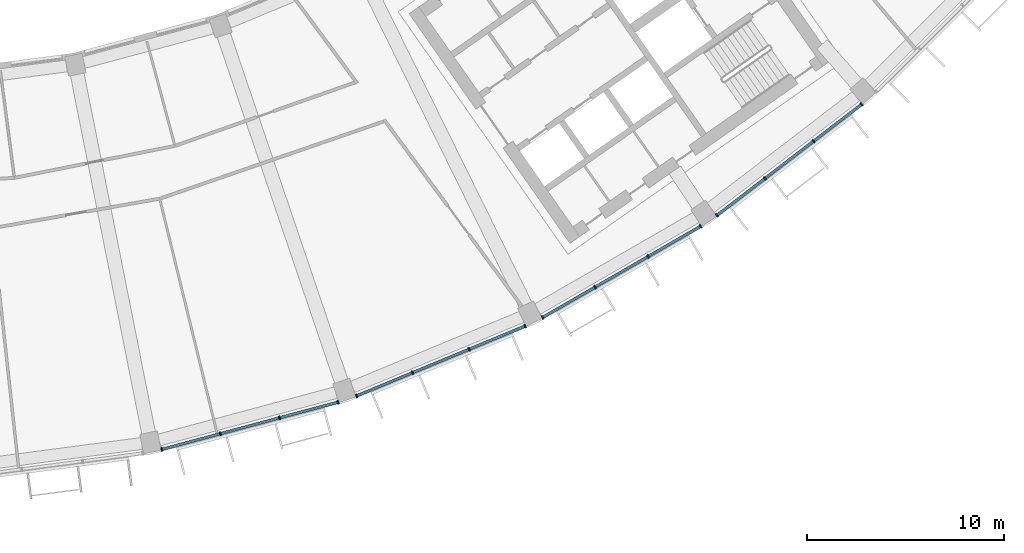
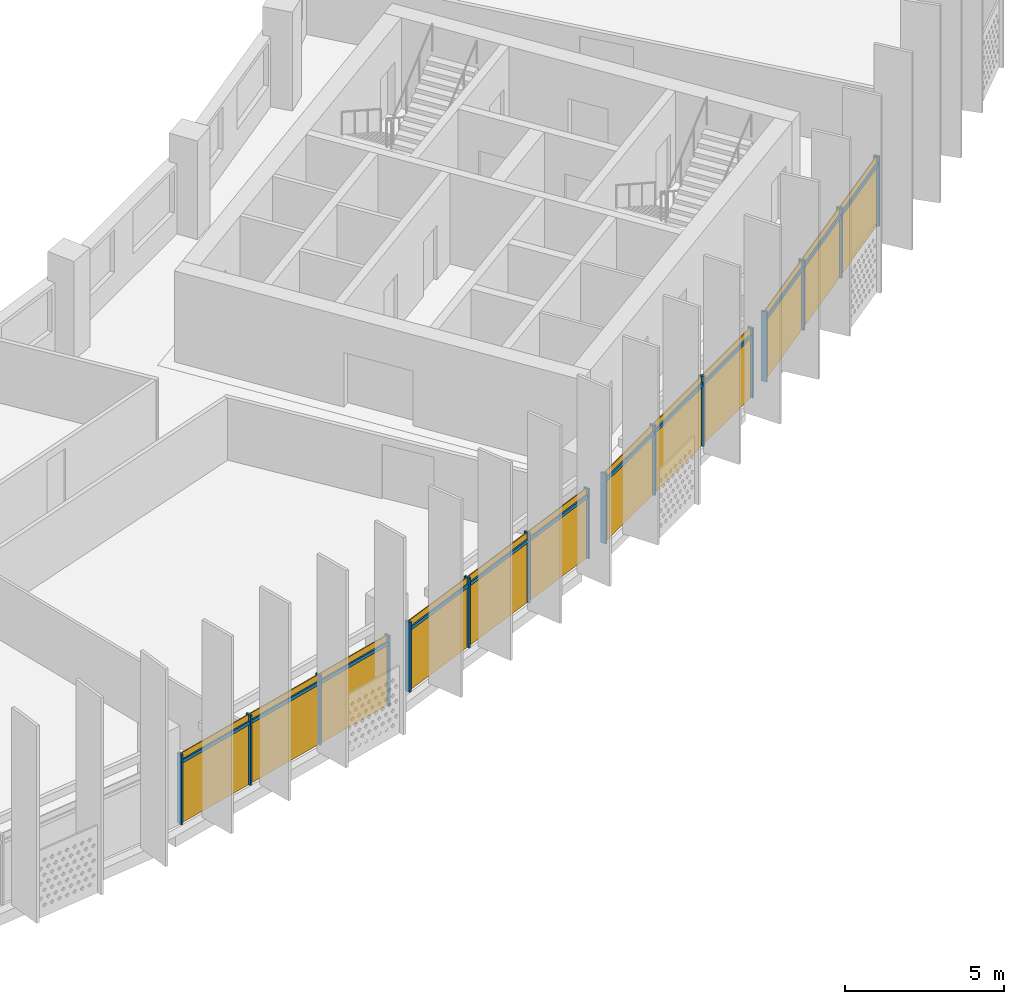
# One storey, part 20 of 28: 28 members, 4 curtain walls.
"""IFC4 building model written with IfcOpenShell, lengths in metres."""

from ifc_helpers import new_model, si_unit, direction, frame, origin, origin_2d, place, context, subcontext, project, spatial, rectangle, extrude, material, material_profile, profile_set, type_object, element, aggregate, save


model = new_model("IFC4")

# Units and contexts
model_context = context("Model", 3, precision=1e-05, world=origin(), true_north=direction((0.0, 1.0)))
body_context = subcontext(model_context, "Body", "Model", "MODEL_VIEW")
ifc_project = project(units=[si_unit("LENGTHUNIT", "METRE"), si_unit("AREAUNIT", "SQUARE_METRE"), si_unit("VOLUMEUNIT", "CUBIC_METRE"), si_unit("PLANEANGLEUNIT", "RADIAN"), si_unit("MASSUNIT", "GRAM", prefix="KILO")], contexts=[model_context])

# Member
ifc_material = material(Name="Aluminium 6063-T6 anodised", Category="aluminium")
ifc_material_profile_1 = material_profile(ifc_material, rectangle(XDim=0.199951171875, YDim=0.070068359375, at=origin_2d()))
ifc_profile_set_1 = profile_set([ifc_material_profile_1], Name="Aluminium 6063-T6 anodised")
member_type_1 = type_object("IfcMemberType", Name="Mullion 70 x 200 aluminium", PredefinedType="MULLION", material=ifc_profile_set_1)
site_placement = place(None, origin())
building_placement = place(site_placement, origin())
storey_placement = place(building_placement, frame((0.0, 0.0, 265.699951171875)))
member_1_placement = place(storey_placement, frame((15.742431640625, -76.618408203125, 0.0), z_axis=(0.0, 0.0, 1.0), x_axis=(-0.258819045103, 0.965925826289, 0.0)))
member_1 = element("IfcMember", 1, at=member_1_placement, type_object=member_type_1, Name="e-cw1-L64-out09/M00", PredefinedType="MULLION", context=body_context, shape_type="SweptSolid", body=[
    extrude(rectangle(XDim=0.199951171875, YDim=0.070068359375, at=origin_2d()), origin(), (0.0, 0.0, 1.0), 2.699951171875),
])

member_2_placement = place(storey_placement, frame((18.708984375, -75.82373046875, 0.0), z_axis=(0.0, 0.0, 1.0), x_axis=(-0.258819045103, 0.965925826289, 0.0)))
member_2 = element("IfcMember", 2, at=member_2_placement, type_object=member_type_1, Name="e-cw1-L64-out09/M01", PredefinedType="MULLION", context=body_context, shape_type="SweptSolid", body=[
    extrude(rectangle(XDim=0.199951171875, YDim=0.070068359375, at=origin_2d()), origin(), (0.0, 0.0, 1.0), 2.699951171875),
])

member_3_placement = place(storey_placement, frame((21.70947265625, -75.019775390625, 0.0), z_axis=(0.0, 0.0, 1.0), x_axis=(-0.258819045103, 0.965925826289, 0.0)))
member_3 = element("IfcMember", 3, at=member_3_placement, type_object=member_type_1, Name="e-cw1-L64-out09/M02", PredefinedType="MULLION", context=body_context, shape_type="SweptSolid", body=[
    extrude(rectangle(XDim=0.199951171875, YDim=0.070068359375, at=origin_2d()), origin(), (0.0, 0.0, 1.0), 2.699951171875),
])

member_4_placement = place(storey_placement, frame((24.676025390625, -74.224853515625, 0.0), z_axis=(0.0, 0.0, 1.0), x_axis=(-0.258819045103, 0.965925826289, 0.0)))
member_4 = element("IfcMember", 4, at=member_4_placement, type_object=member_type_1, Name="e-cw1-L64-out09/M03", PredefinedType="MULLION", context=body_context, shape_type="SweptSolid", body=[
    extrude(rectangle(XDim=0.199951171875, YDim=0.070068359375, at=origin_2d()), origin(), (0.0, 0.0, 1.0), 2.699951171875),
])

member_5_placement = place(storey_placement, frame((25.6083984375, -73.908203125, 0.0), z_axis=(0.0, 0.0, 1.0), x_axis=(-0.382683432365, 0.923879532511, 0.0)))
member_5 = element("IfcMember", 5, at=member_5_placement, type_object=member_type_1, Name="e-cw1-L64-out10/M00", PredefinedType="MULLION", context=body_context, shape_type="SweptSolid", body=[
    extrude(rectangle(XDim=0.199951171875, YDim=0.070068359375, at=origin_2d()), origin(), (0.0, 0.0, 1.0), 2.699951171875),
])

member_6_placement = place(storey_placement, frame((28.44580078125, -72.73291015625, 0.0), z_axis=(0.0, 0.0, 1.0), x_axis=(-0.382683432365, 0.923879532511, 0.0)))
member_6 = element("IfcMember", 6, at=member_6_placement, type_object=member_type_1, Name="e-cw1-L64-out10/M01", PredefinedType="MULLION", context=body_context, shape_type="SweptSolid", body=[
    extrude(rectangle(XDim=0.199951171875, YDim=0.070068359375, at=origin_2d()), origin(), (0.0, 0.0, 1.0), 2.699951171875),
])

member_7_placement = place(storey_placement, frame((31.315673828125, -71.544189453125, 0.0), z_axis=(0.0, 0.0, 1.0), x_axis=(-0.382683432365, 0.923879532511, 0.0)))
member_7 = element("IfcMember", 7, at=member_7_placement, type_object=member_type_1, Name="e-cw1-L64-out10/M02", PredefinedType="MULLION", context=body_context, shape_type="SweptSolid", body=[
    extrude(rectangle(XDim=0.199951171875, YDim=0.070068359375, at=origin_2d()), origin(), (0.0, 0.0, 1.0), 2.699951171875),
])

member_8_placement = place(storey_placement, frame((34.153076171875, -70.368896484375, 0.0), z_axis=(0.0, 0.0, 1.0), x_axis=(-0.382683432365, 0.923879532511, 0.0)))
member_8 = element("IfcMember", 8, at=member_8_placement, type_object=member_type_1, Name="e-cw1-L64-out10/M03", PredefinedType="MULLION", context=body_context, shape_type="SweptSolid", body=[
    extrude(rectangle(XDim=0.199951171875, YDim=0.070068359375, at=origin_2d()), origin(), (0.0, 0.0, 1.0), 2.699951171875),
])

member_9_placement = place(storey_placement, frame((35.036376953125, -69.933349609375, 0.0), z_axis=(0.0, 0.0, 1.0), x_axis=(-0.5, 0.866025403784, 0.0)))
member_9 = element("IfcMember", 9, at=member_9_placement, type_object=member_type_1, Name="e-cw1-L64-out11/M00", PredefinedType="MULLION", context=body_context, shape_type="SweptSolid", body=[
    extrude(rectangle(XDim=0.199951171875, YDim=0.070068359375, at=origin_2d()), origin(), (0.0, 0.0, 1.0), 2.699951171875),
])

member_10_placement = place(storey_placement, frame((37.696044921875, -68.397705078125, 0.0), z_axis=(0.0, 0.0, 1.0), x_axis=(-0.5, 0.866025403784, 0.0)))
member_10 = element("IfcMember", 10, at=member_10_placement, type_object=member_type_1, Name="e-cw1-L64-out11/M01", PredefinedType="MULLION", context=body_context, shape_type="SweptSolid", body=[
    extrude(rectangle(XDim=0.199951171875, YDim=0.070068359375, at=origin_2d()), origin(), (0.0, 0.0, 1.0), 2.699951171875),
])

member_11_placement = place(storey_placement, frame((40.38623046875, -66.8447265625, 0.0), z_axis=(0.0, 0.0, 1.0), x_axis=(-0.5, 0.866025403784, 0.0)))
member_11 = element("IfcMember", 11, at=member_11_placement, type_object=member_type_1, Name="e-cw1-L64-out11/M02", PredefinedType="MULLION", context=body_context, shape_type="SweptSolid", body=[
    extrude(rectangle(XDim=0.199951171875, YDim=0.070068359375, at=origin_2d()), origin(), (0.0, 0.0, 1.0), 2.699951171875),
])

member_12_placement = place(storey_placement, frame((43.0458984375, -65.30908203125, 0.0), z_axis=(0.0, 0.0, 1.0), x_axis=(-0.5, 0.866025403784, 0.0)))
member_12 = element("IfcMember", 12, at=member_12_placement, type_object=member_type_1, Name="e-cw1-L64-out11/M03", PredefinedType="MULLION", context=body_context, shape_type="SweptSolid", body=[
    extrude(rectangle(XDim=0.199951171875, YDim=0.070068359375, at=origin_2d()), origin(), (0.0, 0.0, 1.0), 2.699951171875),
])

member_13_placement = place(storey_placement, frame((43.86474609375, -64.761962890625, 0.0), z_axis=(0.0, 0.0, 1.0), x_axis=(-0.608761429009, 0.793353340291, 0.0)))
member_13 = element("IfcMember", 13, at=member_13_placement, type_object=member_type_1, Name="e-cw1-L64-out12/M00", PredefinedType="MULLION", context=body_context, shape_type="SweptSolid", body=[
    extrude(rectangle(XDim=0.199951171875, YDim=0.070068359375, at=origin_2d()), origin(), (0.0, 0.0, 1.0), 2.699951171875),
])

member_14_placement = place(storey_placement, frame((46.30126953125, -62.892333984375, 0.0), z_axis=(0.0, 0.0, 1.0), x_axis=(-0.608761429009, 0.793353340291, 0.0)))
member_14 = element("IfcMember", 14, at=member_14_placement, type_object=member_type_1, Name="e-cw1-L64-out12/M01", PredefinedType="MULLION", context=body_context, shape_type="SweptSolid", body=[
    extrude(rectangle(XDim=0.199951171875, YDim=0.070068359375, at=origin_2d()), origin(), (0.0, 0.0, 1.0), 2.699951171875),
])

member_15_placement = place(storey_placement, frame((48.765625, -61.001220703125, 0.0), z_axis=(0.0, 0.0, 1.0), x_axis=(-0.608761429009, 0.793353340291, 0.0)))
member_15 = element("IfcMember", 15, at=member_15_placement, type_object=member_type_1, Name="e-cw1-L64-out12/M02", PredefinedType="MULLION", context=body_context, shape_type="SweptSolid", body=[
    extrude(rectangle(XDim=0.199951171875, YDim=0.070068359375, at=origin_2d()), origin(), (0.0, 0.0, 1.0), 2.699951171875),
])

member_16_placement = place(storey_placement, frame((51.2021484375, -59.131591796875, 0.0), z_axis=(0.0, 0.0, 1.0), x_axis=(-0.608761429009, 0.793353340291, 0.0)))
member_16 = element("IfcMember", 16, at=member_16_placement, type_object=member_type_1, Name="e-cw1-L64-out12/M03", PredefinedType="MULLION", context=body_context, shape_type="SweptSolid", body=[
    extrude(rectangle(XDim=0.199951171875, YDim=0.070068359375, at=origin_2d()), origin(), (0.0, 0.0, 1.0), 2.699951171875),
])

ifc_material_profile_2 = material_profile(ifc_material, rectangle(XDim=0.139892578125, YDim=0.1201171875, at=origin_2d()))
ifc_profile_set_2 = profile_set([ifc_material_profile_2], Name="Aluminium 6063-T6 anodised")
member_type_2 = type_object("IfcMemberType", Name="Transom 120 x 140 aluminium", PredefinedType="USERDEFINED", material=ifc_profile_set_2)
member_17_placement = place(storey_placement, frame((15.776123046875, -76.609375, 2.400146484375), z_axis=(0.965944058071, 0.258750993577, 0.0), x_axis=(-0.258750993577, 0.965944058071, 0.0)))
member_17 = element("IfcMember", 17, at=member_17_placement, type_object=member_type_2, Name="e-cw1-L64-out09/T00", ObjectType="TRANSOM", PredefinedType="USERDEFINED", context=body_context, shape_type="SweptSolid", body=[
    extrude(rectangle(XDim=0.139892578125, YDim=0.1201171875, at=origin_2d()), origin(), (0.0, 0.0, 1.0), 3.00146484375),
])

member_18_placement = place(storey_placement, frame((18.74267578125, -75.814453125, 2.400146484375), z_axis=(0.965943386189, 0.258753501769, 0.0), x_axis=(-0.258753501769, 0.965943386189, 0.0)))
member_18 = element("IfcMember", 18, at=member_18_placement, type_object=member_type_2, Name="e-cw1-L64-out09/T01", ObjectType="TRANSOM", PredefinedType="USERDEFINED", context=body_context, shape_type="SweptSolid", body=[
    extrude(rectangle(XDim=0.139892578125, YDim=0.1201171875, at=origin_2d()), origin(), (0.0, 0.0, 1.0), 3.036376953125),
])

member_19_placement = place(storey_placement, frame((21.7431640625, -75.0107421875, 2.400146484375), z_axis=(0.965918275034, 0.258847225127, 0.0), x_axis=(-0.258847225127, 0.965918275034, 0.0)))
member_19 = element("IfcMember", 19, at=member_19_placement, type_object=member_type_2, Name="e-cw1-L64-out09/T02", ObjectType="TRANSOM", PredefinedType="USERDEFINED", context=body_context, shape_type="SweptSolid", body=[
    extrude(rectangle(XDim=0.139892578125, YDim=0.1201171875, at=origin_2d()), origin(), (0.0, 0.0, 1.0), 3.001220703125),
])

member_20_placement = place(storey_placement, frame((25.640869140625, -73.894775390625, 2.400146484375), z_axis=(0.923885958475, 0.382667918347, 0.0), x_axis=(-0.382667918347, 0.923885958475, 0.0)))
member_20 = element("IfcMember", 20, at=member_20_placement, type_object=member_type_2, Name="e-cw1-L64-out10/T00", ObjectType="TRANSOM", PredefinedType="USERDEFINED", context=body_context, shape_type="SweptSolid", body=[
    extrude(rectangle(XDim=0.139892578125, YDim=0.1201171875, at=origin_2d()), origin(), (0.0, 0.0, 1.0), 3.001220703125),
])

member_21_placement = place(storey_placement, frame((28.478271484375, -72.719482421875, 2.400146484375), z_axis=(0.923888454036, 0.38266189319, 0.0), x_axis=(-0.38266189319, 0.923888454036, 0.0)))
member_21 = element("IfcMember", 21, at=member_21_placement, type_object=member_type_2, Name="e-cw1-L64-out10/T01", ObjectType="TRANSOM", PredefinedType="USERDEFINED", context=body_context, shape_type="SweptSolid", body=[
    extrude(rectangle(XDim=0.139892578125, YDim=0.1201171875, at=origin_2d()), origin(), (0.0, 0.0, 1.0), 3.036376953125),
])

member_22_placement = place(storey_placement, frame((31.347900390625, -71.53076171875, 2.400146484375), z_axis=(0.923897869521, 0.382639159907, 0.0), x_axis=(-0.382639159907, 0.923897869521, 0.0)))
member_22 = element("IfcMember", 22, at=member_22_placement, type_object=member_type_2, Name="e-cw1-L64-out10/T02", ObjectType="TRANSOM", PredefinedType="USERDEFINED", context=body_context, shape_type="SweptSolid", body=[
    extrude(rectangle(XDim=0.139892578125, YDim=0.1201171875, at=origin_2d()), origin(), (0.0, 0.0, 1.0), 3.00146484375),
])

member_23_placement = place(storey_placement, frame((35.066650390625, -69.915771484375, 2.400146484375), z_axis=(0.866041993159, 0.49997126526, 0.0), x_axis=(-0.49997126526, 0.866041993159, 0.0)))
member_23 = element("IfcMember", 23, at=member_23_placement, type_object=member_type_2, Name="e-cw1-L64-out11/T00", ObjectType="TRANSOM", PredefinedType="USERDEFINED", context=body_context, shape_type="SweptSolid", body=[
    extrude(rectangle(XDim=0.139892578125, YDim=0.1201171875, at=origin_2d()), origin(), (0.0, 0.0, 1.0), 3.001220703125),
])

member_24_placement = place(storey_placement, frame((37.726318359375, -68.38037109375, 2.400146484375), z_axis=(0.866012861315, 0.500021723565, 0.0), x_axis=(-0.500021723565, 0.866012861315, 0.0)))
member_24 = element("IfcMember", 24, at=member_24_placement, type_object=member_type_2, Name="e-cw1-L64-out11/T01", ObjectType="TRANSOM", PredefinedType="USERDEFINED", context=body_context, shape_type="SweptSolid", body=[
    extrude(rectangle(XDim=0.139892578125, YDim=0.1201171875, at=origin_2d()), origin(), (0.0, 0.0, 1.0), 3.036376953125),
])

member_25_placement = place(storey_placement, frame((40.41650390625, -66.8271484375, 2.400146484375), z_axis=(0.866041993159, 0.49997126526, 0.0), x_axis=(-0.49997126526, 0.866041993159, 0.0)))
member_25 = element("IfcMember", 25, at=member_25_placement, type_object=member_type_2, Name="e-cw1-L64-out11/T02", ObjectType="TRANSOM", PredefinedType="USERDEFINED", context=body_context, shape_type="SweptSolid", body=[
    extrude(rectangle(XDim=0.139892578125, YDim=0.1201171875, at=origin_2d()), origin(), (0.0, 0.0, 1.0), 3.001220703125),
])

member_26_placement = place(storey_placement, frame((43.892578125, -64.74072265625, 2.400146484375), z_axis=(0.793312980955, 0.60881402271, 0.0), x_axis=(-0.60881402271, 0.793312980955, 0.0)))
member_26 = element("IfcMember", 26, at=member_26_placement, type_object=member_type_2, Name="e-cw1-L64-out12/T00", ObjectType="TRANSOM", PredefinedType="USERDEFINED", context=body_context, shape_type="SweptSolid", body=[
    extrude(rectangle(XDim=0.139892578125, YDim=0.1201171875, at=origin_2d()), origin(), (0.0, 0.0, 1.0), 3.001220703125),
])

member_27_placement = place(storey_placement, frame((46.3291015625, -62.87109375, 2.400146484375), z_axis=(0.79333190513, 0.608789362836, 0.0), x_axis=(-0.608789362836, 0.79333190513, 0.0)))
member_27 = element("IfcMember", 27, at=member_27_placement, type_object=member_type_2, Name="e-cw1-L64-out12/T01", ObjectType="TRANSOM", PredefinedType="USERDEFINED", context=body_context, shape_type="SweptSolid", body=[
    extrude(rectangle(XDim=0.139892578125, YDim=0.1201171875, at=origin_2d()), origin(), (0.0, 0.0, 1.0), 3.0361328125),
])

member_28_placement = place(storey_placement, frame((48.79345703125, -60.97998046875, 2.400146484375), z_axis=(0.793352271072, 0.60876282244, 0.0), x_axis=(-0.60876282244, 0.793352271072, 0.0)))
member_28 = element("IfcMember", 28, at=member_28_placement, type_object=member_type_2, Name="e-cw1-L64-out12/T02", ObjectType="TRANSOM", PredefinedType="USERDEFINED", context=body_context, shape_type="SweptSolid", body=[
    extrude(rectangle(XDim=0.139892578125, YDim=0.1201171875, at=origin_2d()), origin(), (0.0, 0.0, 1.0), 3.0009765625),
])

# Site, building, storey
site = spatial("IfcSite", under=ifc_project, at=site_placement, CompositionType="ELEMENT")
building = spatial("IfcBuilding", under=site, at=building_placement, Name="Qamariyya Broadcast Tower", CompositionType="ELEMENT")
storey = spatial("IfcBuildingStorey", under=building, at=storey_placement, Name="L64", CompositionType="ELEMENT", Elevation=265.699951171875)

# Curtain wall
curtain_wall_type = type_object("IfcCurtainWallType", Name="Unitised curtain wall, anodised aluminium", PredefinedType="NOTDEFINED", material=ifc_material)
curtain_wall_1_placement = place(storey_placement, origin())
curtain_wall_1 = element("IfcCurtainWall", 29, at=curtain_wall_1_placement, inside=storey, type_object=curtain_wall_type, Name="e-cw1-L64-out09", PredefinedType="NOTDEFINED", context=body_context, shape_type="SweptSolid", body=[
    extrude(rectangle(XDim=3.001220703125, YDim=0.031982421875, at=origin_2d()), frame((17.2255859375, -76.22119140625, 0.0), x_axis=(0.965925949265, 0.258818586151, 0.0)), (0.0, 0.0, 1.0), 2.340087890625),
    extrude(rectangle(XDim=3.001220703125, YDim=0.031982421875, at=origin_2d()), frame((17.2255859375, -76.22119140625, 2.4599609375), x_axis=(0.965925949265, 0.258818586151, 0.0)), (0.0, 0.0, 1.0), 0.239990234375),
    extrude(rectangle(XDim=3.0361328125, YDim=0.031982421875, at=origin_2d()), frame((20.208984375, -75.421875, 0.0), x_axis=(0.965925949265, 0.258818586151, 0.0)), (0.0, 0.0, 1.0), 2.340087890625),
    extrude(rectangle(XDim=3.0361328125, YDim=0.031982421875, at=origin_2d()), frame((20.208984375, -75.421875, 2.4599609375), x_axis=(0.965925949265, 0.258818586151, 0.0)), (0.0, 0.0, 1.0), 0.239990234375),
    extrude(rectangle(XDim=3.001220703125, YDim=0.031982421875, at=origin_2d()), frame((23.192626953125, -74.622314453125, 0.0), x_axis=(0.965925949265, 0.258818586151, 0.0)), (0.0, 0.0, 1.0), 2.340087890625),
    extrude(rectangle(XDim=3.001220703125, YDim=0.031982421875, at=origin_2d()), frame((23.192626953125, -74.622314453125, 2.4599609375), x_axis=(0.965925949265, 0.258818586151, 0.0)), (0.0, 0.0, 1.0), 0.239990234375),
])

aggregate(curtain_wall_1, [member_1, member_2, member_3, member_4, member_17, member_18, member_19])

curtain_wall_2_placement = place(storey_placement, origin())
curtain_wall_2 = element("IfcCurtainWall", 30, at=curtain_wall_2_placement, inside=storey, type_object=curtain_wall_type, Name="e-cw1-L64-out10", PredefinedType="NOTDEFINED", context=body_context, shape_type="SweptSolid", body=[
    extrude(rectangle(XDim=3.001220703125, YDim=0.031982421875, at=origin_2d()), frame((27.02734375, -73.320556640625, 0.0), x_axis=(0.923877930643, 0.382687299595, 0.0)), (0.0, 0.0, 1.0), 2.340087890625),
    extrude(rectangle(XDim=3.001220703125, YDim=0.031982421875, at=origin_2d()), frame((27.02734375, -73.320556640625, 2.4599609375), x_axis=(0.923877930643, 0.382687299595, 0.0)), (0.0, 0.0, 1.0), 0.239990234375),
    extrude(rectangle(XDim=3.0361328125, YDim=0.031982421875, at=origin_2d()), frame((29.880859375, -72.138671875, 0.0), x_axis=(0.923877930643, 0.382687299595, 0.0)), (0.0, 0.0, 1.0), 2.340087890625),
    extrude(rectangle(XDim=3.0361328125, YDim=0.031982421875, at=origin_2d()), frame((29.880859375, -72.138671875, 2.4599609375), x_axis=(0.923877930643, 0.382687299595, 0.0)), (0.0, 0.0, 1.0), 0.239990234375),
    extrude(rectangle(XDim=3.001220703125, YDim=0.031982421875, at=origin_2d()), frame((32.734375, -70.95654296875, 0.0), x_axis=(0.923877930643, 0.382687299595, 0.0)), (0.0, 0.0, 1.0), 2.340087890625),
    extrude(rectangle(XDim=3.001220703125, YDim=0.031982421875, at=origin_2d()), frame((32.734375, -70.95654296875, 2.4599609375), x_axis=(0.923877930643, 0.382687299595, 0.0)), (0.0, 0.0, 1.0), 0.239990234375),
])

aggregate(curtain_wall_2, [member_5, member_6, member_7, member_8, member_20, member_21, member_22])

curtain_wall_3_placement = place(storey_placement, origin())
curtain_wall_3 = element("IfcCurtainWall", 31, at=curtain_wall_3_placement, inside=storey, type_object=curtain_wall_type, Name="e-cw1-L64-out11", PredefinedType="NOTDEFINED", context=body_context, shape_type="SweptSolid", body=[
    extrude(rectangle(XDim=3.001220703125, YDim=0.031982421875, at=origin_2d()), frame((36.3662109375, -69.16552734375, 0.0), x_axis=(0.866017611601, 0.500013496215, 0.0)), (0.0, 0.0, 1.0), 2.340087890625),
    extrude(rectangle(XDim=3.001220703125, YDim=0.031982421875, at=origin_2d()), frame((36.3662109375, -69.16552734375, 2.4599609375), x_axis=(0.866017611601, 0.500013496215, 0.0)), (0.0, 0.0, 1.0), 0.239990234375),
    extrude(rectangle(XDim=3.0361328125, YDim=0.031982421875, at=origin_2d()), frame((39.041015625, -67.62109375, 0.0), x_axis=(0.866017611601, 0.500013496215, 0.0)), (0.0, 0.0, 1.0), 2.340087890625),
    extrude(rectangle(XDim=3.0361328125, YDim=0.031982421875, at=origin_2d()), frame((39.041015625, -67.62109375, 2.4599609375), x_axis=(0.866017611601, 0.500013496215, 0.0)), (0.0, 0.0, 1.0), 0.239990234375),
    extrude(rectangle(XDim=3.001220703125, YDim=0.031982421875, at=origin_2d()), frame((41.716064453125, -66.076904296875, 0.0), x_axis=(0.866017611601, 0.500013496215, 0.0)), (0.0, 0.0, 1.0), 2.340087890625),
    extrude(rectangle(XDim=3.001220703125, YDim=0.031982421875, at=origin_2d()), frame((41.716064453125, -66.076904296875, 2.4599609375), x_axis=(0.866017611601, 0.500013496215, 0.0)), (0.0, 0.0, 1.0), 0.239990234375),
])

aggregate(curtain_wall_3, [member_9, member_10, member_11, member_12, member_23, member_24, member_25])

curtain_wall_4_placement = place(storey_placement, origin())
curtain_wall_4 = element("IfcCurtainWall", 32, at=curtain_wall_4_placement, inside=storey, type_object=curtain_wall_type, Name="e-cw1-L64-out12", PredefinedType="NOTDEFINED", context=body_context, shape_type="SweptSolid", body=[
    extrude(rectangle(XDim=3.001220703125, YDim=0.031982421875, at=origin_2d()), frame((45.0830078125, -63.8271484375, 0.0), x_axis=(0.793355818396, 0.608758199466, 0.0)), (0.0, 0.0, 1.0), 2.340087890625),
    extrude(rectangle(XDim=3.001220703125, YDim=0.031982421875, at=origin_2d()), frame((45.0830078125, -63.8271484375, 2.4599609375), x_axis=(0.793355818396, 0.608758199466, 0.0)), (0.0, 0.0, 1.0), 0.239990234375),
    extrude(rectangle(XDim=3.0361328125, YDim=0.031982421875, at=origin_2d()), frame((47.533447265625, -61.94677734375, 0.0), x_axis=(0.793355818396, 0.608758199466, 0.0)), (0.0, 0.0, 1.0), 2.340087890625),
    extrude(rectangle(XDim=3.0361328125, YDim=0.031982421875, at=origin_2d()), frame((47.533447265625, -61.94677734375, 2.4599609375), x_axis=(0.793355818396, 0.608758199466, 0.0)), (0.0, 0.0, 1.0), 0.239990234375),
    extrude(rectangle(XDim=3.001220703125, YDim=0.031982421875, at=origin_2d()), frame((49.98388671875, -60.06640625, 0.0), x_axis=(0.793355818396, 0.608758199466, 0.0)), (0.0, 0.0, 1.0), 2.340087890625),
    extrude(rectangle(XDim=3.001220703125, YDim=0.031982421875, at=origin_2d()), frame((49.98388671875, -60.06640625, 2.4599609375), x_axis=(0.793355818396, 0.608758199466, 0.0)), (0.0, 0.0, 1.0), 0.239990234375),
])

aggregate(curtain_wall_4, [member_13, member_14, member_15, member_16, member_26, member_27, member_28])

save(model, "model.ifc")
